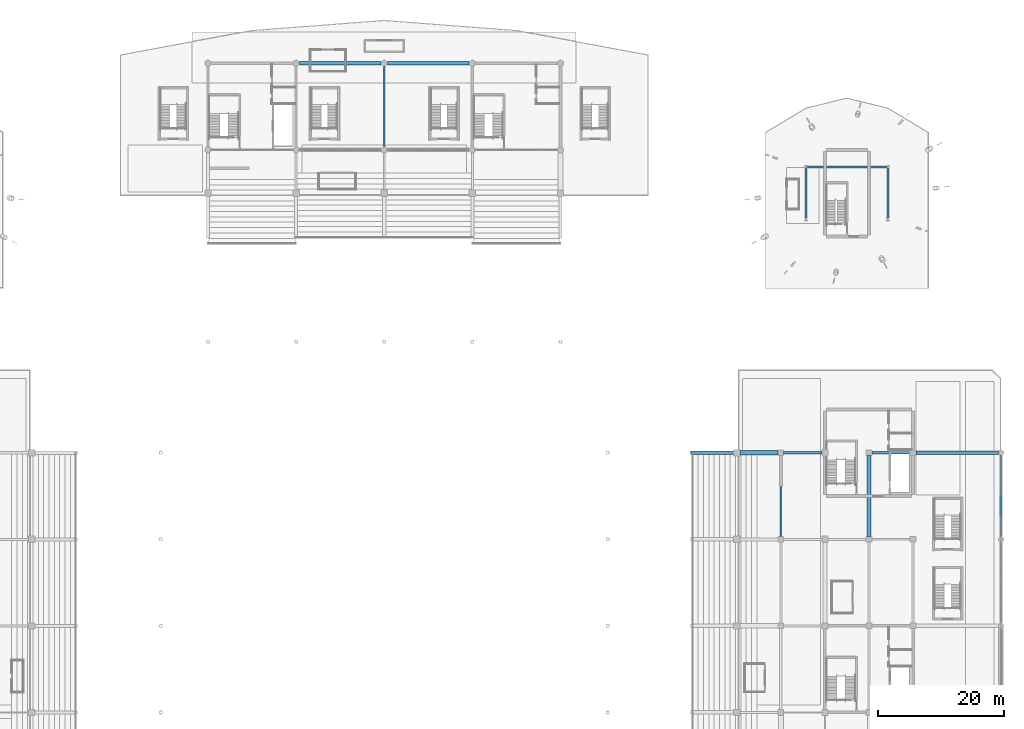
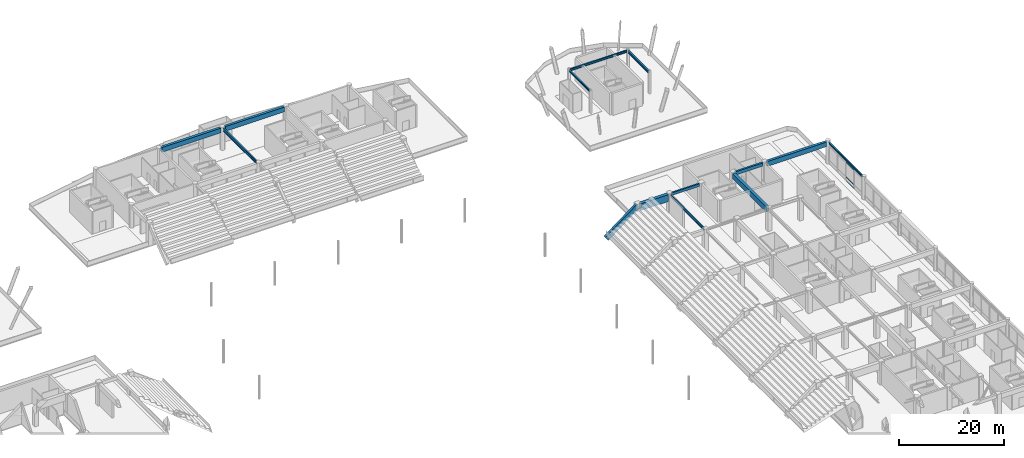
# One storey, part 69 of 117: 14 beams, 3 members, 1 element without a shape of its own.
"""IFC4 building model written with IfcOpenShell, lengths in metres."""

from ifc_helpers import new_model, si_unit, direction, frame, origin, origin_2d, place, context, subcontext, project, spatial, rectangle, hollow_rectangle, i_section, extrude, material, material_profile, profile_set, type_object, element, aggregate, save


model = new_model("IFC4")

# Units and contexts
model_context = context("Model", 3, precision=1e-05, world=origin(), true_north=direction((0.0, 1.0)))
body_context = subcontext(model_context, "Body", "Model", "MODEL_VIEW")
ifc_project = project(units=[si_unit("LENGTHUNIT", "METRE"), si_unit("AREAUNIT", "SQUARE_METRE"), si_unit("VOLUMEUNIT", "CUBIC_METRE"), si_unit("PLANEANGLEUNIT", "RADIAN"), si_unit("MASSUNIT", "GRAM", prefix="KILO")], contexts=[model_context])

# Site, building, storey
site_placement = place(None, origin())
site = spatial("IfcSite", under=ifc_project, at=site_placement, CompositionType="ELEMENT")
building_placement = place(site_placement, origin())
building = spatial("IfcBuilding", under=site, at=building_placement, Name="Linyun Crest Stadium", CompositionType="ELEMENT")
storey_placement = place(building_placement, frame((0.0, 0.0, 6.0)))
storey = spatial("IfcBuildingStorey", under=building, at=storey_placement, Name="L02", CompositionType="ELEMENT", Elevation=6.0)

# Beams
ifc_material_1 = material(Name="Concrete C40", Category="concrete")
ifc_material_profile_1 = material_profile(ifc_material_1, rectangle(XDim=0.35009765625, YDim=0.60009765625, at=origin_2d()), Name="RCB 600x350")
ifc_profile_set_1 = profile_set([ifc_material_profile_1], Name="Concrete C40")
beam_type_1 = type_object("IfcBeamType", Name="B01", PredefinedType="BEAM", material=ifc_profile_set_1)
beam_1_placement = place(storey_placement, frame((63.449951171875, 43.375, 4.85009765625), z_axis=(1.0, 0.0, 0.0), x_axis=(0.0, 1.0, 0.0)))
element("IfcBeam", 1, at=beam_1_placement, inside=storey, type_object=beam_type_1, Name="Frame beam B01 L02 574", PredefinedType="BEAM", context=body_context, shape_type="SweptSolid", body=[
    extrude(rectangle(XDim=0.35009765625, YDim=0.60009765625, at=origin_2d()), origin(), (0.0, 0.0, 1.0), 6.050048828125),
])
ifc_material_2 = material(Name="Concrete C40", Category="concrete")
ifc_material_profile_2 = material_profile(ifc_material_2, rectangle(XDim=0.39990234375, YDim=0.75, at=origin_2d()), Name="RCB 750x400")
ifc_profile_set_2 = profile_set([ifc_material_profile_2], Name="Concrete C40")
beam_type_2 = type_object("IfcBeamType", Name="B03", PredefinedType="BEAM", material=ifc_profile_set_2)
beam_2_placement = place(storey_placement, frame((77.449951171875, 43.375, 4.77490234375), z_axis=(1.0, 0.0, 0.0), x_axis=(0.0, 1.0, 0.0)))
element("IfcBeam", 2, at=beam_2_placement, inside=storey, type_object=beam_type_2, Name="Frame beam B03 L02 575", PredefinedType="BEAM", context=body_context, shape_type="SweptSolid", body=[
    extrude(rectangle(XDim=0.39990234375, YDim=0.75, at=origin_2d()), origin(), (0.0, 0.0, 1.0), 6.10009765625),
])
ifc_material_3 = material(Name="Steel Q355C", Category="steel")
ifc_material_profile_3 = material_profile(ifc_material_3, i_section(OverallWidth=0.300048828125, OverallDepth=0.43994140625, WebThickness=0.010986328125, FlangeThickness=0.01806640625, at=origin_2d()), Name="HM 440x300")
ifc_profile_set_3 = profile_set([ifc_material_profile_3], Name="Steel Q355C")
beam_type_3 = type_object("IfcBeamType", Name="B07", PredefinedType="BEAM", material=ifc_profile_set_3)
beam_3_placement = place(storey_placement, frame((98.0, 30.074951171875, 4.929931640625), z_axis=(0.0, 1.0, 0.0), x_axis=(-1.0, 0.0, 0.0)))
element("IfcBeam", 3, at=beam_3_placement, inside=storey, type_object=beam_type_3, Name="Frame beam B07 L02 605", PredefinedType="BEAM", context=body_context, shape_type="SweptSolid", body=[
    extrude(i_section(OverallWidth=0.300048828125, OverallDepth=0.43994140625, WebThickness=0.010986328125, FlangeThickness=0.01806640625, at=origin_2d()), origin(), (0.0, 0.0, 1.0), 12.85009765625),
])
beam_4_placement = place(storey_placement, frame((67.0, 80.7490234375, 4.9599609375), z_axis=(0.0, 1.0, 0.0), x_axis=(-1.0, 0.0, 0.0)))
element("IfcBeam", 4, at=beam_4_placement, inside=storey, type_object=beam_type_3, Name="Frame beam B07 L02 963", PredefinedType="BEAM", context=body_context, shape_type="SweptSolid", body=[
    extrude(i_section(OverallWidth=0.300048828125, OverallDepth=0.43994140625, WebThickness=0.010986328125, FlangeThickness=0.01806640625, at=origin_2d()), origin(), (0.0, 0.0, 1.0), 7.786865234375),
])
ifc_material_4 = material(Name="Steel Q355C", Category="steel")
ifc_material_profile_4 = material_profile(ifc_material_4, i_section(OverallWidth=0.300048828125, OverallDepth=0.488037109375, WebThickness=0.010986328125, FlangeThickness=0.01806640625, at=origin_2d()), Name="HM 488x300")
ifc_profile_set_4 = profile_set([ifc_material_profile_4], Name="Steel Q355C")
beam_type_4 = type_object("IfcBeamType", Name="B08", PredefinedType="BEAM", material=ifc_profile_set_4)
beam_5_placement = place(storey_placement, frame((67.2041015625, 88.75, 4.93603515625), z_axis=(1.0, 0.0, 0.0), x_axis=(0.0, 1.0, 0.0)))
element("IfcBeam", 5, at=beam_5_placement, inside=storey, type_object=beam_type_4, Name="Frame beam B08 L02 960", PredefinedType="BEAM", context=body_context, shape_type="SweptSolid", body=[
    extrude(i_section(OverallWidth=0.300048828125, OverallDepth=0.488037109375, WebThickness=0.010986328125, FlangeThickness=0.01806640625, at=origin_2d()), origin(), (0.0, 0.0, 1.0), 12.591796875),
])
ifc_material_5 = material(Name="Steel Q355C", Category="steel")
ifc_material_profile_5 = material_profile(ifc_material_5, i_section(OverallWidth=0.300048828125, OverallDepth=0.587890625, WebThickness=0.011962890625, FlangeThickness=0.02001953125, at=origin_2d()), Name="HM 588x300")
ifc_profile_set_5 = profile_set([ifc_material_profile_5], Name="Steel Q355C")
beam_type_5 = type_object("IfcBeamType", Name="B09", PredefinedType="BEAM", material=ifc_profile_set_5)
beam_6_placement = place(storey_placement, frame((80.0, 80.7490234375, 4.885986328125), z_axis=(0.0, 1.0, 0.0), x_axis=(-1.0, 0.0, 0.0)))
element("IfcBeam", 6, at=beam_6_placement, inside=storey, type_object=beam_type_5, Name="Frame beam B09 L02 964", PredefinedType="BEAM", context=body_context, shape_type="SweptSolid", body=[
    extrude(i_section(OverallWidth=0.300048828125, OverallDepth=0.587890625, WebThickness=0.011962890625, FlangeThickness=0.02001953125, at=origin_2d()), origin(), (0.0, 0.0, 1.0), 7.786865234375),
])
ifc_material_6 = material(Name="Steel Q355C", Category="steel")
ifc_material_profile_6 = material_profile(ifc_material_6, i_section(OverallWidth=0.199951171875, OverallDepth=0.60009765625, WebThickness=0.010986328125, FlangeThickness=0.01708984375, at=origin_2d()), Name="HN 600x200")
ifc_profile_set_6 = profile_set([ifc_material_profile_6], Name="Steel Q355C")
beam_type_6 = type_object("IfcBeamType", Name="B11", PredefinedType="BEAM", material=ifc_profile_set_6)
beam_7_placement = place(storey_placement, frame((63.0, 30.074951171875, 4.85009765625), z_axis=(0.0, 1.0, 0.0), x_axis=(-1.0, 0.0, 0.0)))
element("IfcBeam", 7, at=beam_7_placement, inside=storey, type_object=beam_type_6, Name="Frame beam B11 L02 583", PredefinedType="BEAM", context=body_context, shape_type="SweptSolid", body=[
    extrude(i_section(OverallWidth=0.199951171875, OverallDepth=0.60009765625, WebThickness=0.010986328125, FlangeThickness=0.01708984375, at=origin_2d()), origin(), (0.0, 0.0, 1.0), 12.85009765625),
])
ifc_material_7 = material(Name="Steel Q355C", Category="steel")
ifc_material_profile_7 = material_profile(ifc_material_7, i_section(OverallWidth=0.300048828125, OverallDepth=0.699951171875, WebThickness=0.012939453125, FlangeThickness=0.02392578125, at=origin_2d()), Name="HN 700x300")
ifc_profile_set_7 = profile_set([ifc_material_profile_7], Name="Steel Q355C")
beam_type_7 = type_object("IfcBeamType", Name="B12", PredefinedType="BEAM", material=ifc_profile_set_7)
beam_8_placement = place(storey_placement, frame((0.0, 92.0, 4.85009765625), z_axis=(0.0, 1.0, 0.0), x_axis=(-1.0, 0.0, 0.0)))
element("IfcBeam", 8, at=beam_8_placement, inside=storey, type_object=beam_type_7, Name="Frame beam B12 L02 797", PredefinedType="BEAM", context=body_context, shape_type="SweptSolid", body=[
    extrude(i_section(OverallWidth=0.300048828125, OverallDepth=0.699951171875, WebThickness=0.012939453125, FlangeThickness=0.02392578125, at=origin_2d()), origin(), (0.0, 0.0, 1.0), 12.75),
])
ifc_material_8 = material(Name="Concrete C50", Category="concrete")
ifc_material_profile_8 = material_profile(ifc_material_8, rectangle(XDim=0.699951171875, YDim=1.60009765625, at=origin_2d()), Name="RCB 1600x700")
ifc_profile_set_8 = profile_set([ifc_material_profile_8], Name="Concrete C50")
beam_type_8 = type_object("IfcBeamType", Name="B13", PredefinedType="BEAM", material=ifc_profile_set_8)
beam_9_placement = place(storey_placement, frame((56.5, 43.375, 4.35009765625), z_axis=(1.0, 0.0, 0.0), x_axis=(0.0, 1.0, 0.0)))
element("IfcBeam", 9, at=beam_9_placement, inside=storey, type_object=beam_type_8, Name="Frame beam B13 L02 573", PredefinedType="BEAM", context=body_context, shape_type="SweptSolid", body=[
    extrude(rectangle(XDim=0.699951171875, YDim=1.60009765625, at=origin_2d()), origin(), (0.0, 0.0, 1.0), 6.050048828125),
])
ifc_material_9 = material(Name="Precast concrete C50", Category="concrete")
ifc_material_profile_9 = material_profile(ifc_material_9, rectangle(XDim=0.550048828125, YDim=1.14990234375, at=origin_2d()), Name="PCR 1150x550")
ifc_profile_set_9 = profile_set([ifc_material_profile_9], Name="Precast concrete C50")
beam_type_9 = type_object("IfcBeamType", Name="RB02", PredefinedType="USERDEFINED", material=ifc_profile_set_9)
beam_10_placement = place(storey_placement, frame((49.0, 43.375, -0.47998046875), z_axis=(0.798353067066, 0.0, 0.602189654765), x_axis=(0.0, 1.0, 0.0)))
element("IfcBeam", 10, at=beam_10_placement, inside=storey, type_object=beam_type_9, Name="Precast raker beam RB02 V2 62", ObjectType="RAKER", PredefinedType="USERDEFINED", context=body_context, shape_type="SweptSolid", body=[
    extrude(rectangle(XDim=0.550048828125, YDim=1.14990234375, at=origin_2d()), origin(), (0.0, 0.0, 1.0), 8.76806640625),
])
ifc_material_10 = material(Name="Concrete C50", Category="concrete")
ifc_material_profile_10 = material_profile(ifc_material_10, rectangle(XDim=0.550048828125, YDim=1.10009765625, at=origin_2d()), Name="RCB 1100x550")
ifc_profile_set_10 = profile_set([ifc_material_profile_10], Name="Concrete C50")
beam_type_10 = type_object("IfcBeamType", Name="TB01", PredefinedType="USERDEFINED", material=ifc_profile_set_10)
beam_11_placement = place(storey_placement, frame((84.449951171875, 43.375, 4.60009765625), z_axis=(1.0, 0.0, 0.0), x_axis=(0.0, 1.0, 0.0)))
element("IfcBeam", 11, at=beam_11_placement, inside=storey, type_object=beam_type_10, Name="Frame beam TB01 L02 576", ObjectType="GIRDER", PredefinedType="USERDEFINED", context=body_context, shape_type="SweptSolid", body=[
    extrude(rectangle(XDim=0.550048828125, YDim=1.10009765625, at=origin_2d()), origin(), (0.0, 0.0, 1.0), 13.10009765625),
])
for number, where, z_axis, x_axis, name in (
    (12, (-13.5, 105.25, 4.64990234375), (1.0, 0.0, 0.0), (0.0, 1.0, 0.0), "Frame beam TB01 L02 792"),
    (13, (0.5, 105.25, 4.64990234375), (1.0, 0.0, 0.0), (0.0, 1.0, 0.0), "Frame beam TB01 L02 793"),
):
    element("IfcBeam", number, at=place(storey_placement, frame(where, z_axis=z_axis, x_axis=x_axis)), inside=storey, type_object=beam_type_10, Name=name, ObjectType="GIRDER", PredefinedType="USERDEFINED", context=body_context, shape_type="SweptSolid", body=[
        extrude(rectangle(XDim=0.550048828125, YDim=1.10009765625, at=origin_2d()), origin(), (0.0, 0.0, 1.0), 13.0),
    ])
ifc_material_11 = material(Name="Concrete C50", Category="concrete")
ifc_material_profile_11 = material_profile(ifc_material_11, rectangle(XDim=0.60009765625, YDim=1.199951171875, at=origin_2d()), Name="RCB 1200x600")
ifc_profile_set_11 = profile_set([ifc_material_profile_11], Name="Concrete C50")
beam_type_11 = type_object("IfcBeamType", Name="TB02", PredefinedType="USERDEFINED", material=ifc_profile_set_11)
beam_12_placement = place(storey_placement, frame((77.0, 30.074951171875, 4.550048828125), z_axis=(0.0, 1.0, 0.0), x_axis=(-1.0, 0.0, 0.0)))
element("IfcBeam", 14, at=beam_12_placement, inside=storey, type_object=beam_type_11, Name="Frame beam TB02 L02 594", ObjectType="GIRDER", PredefinedType="USERDEFINED", context=body_context, shape_type="SweptSolid", body=[
    extrude(rectangle(XDim=0.60009765625, YDim=1.199951171875, at=origin_2d()), origin(), (0.0, 0.0, 1.0), 12.85009765625),
])

# Curtain wall, members
ifc_material_12 = material(Name="Verdigris steel and low-E curtain wall assembly", Category="steel")
curtain_wall_type = type_object("IfcCurtainWallType", Name="MCW01", PredefinedType="NOTDEFINED", material=ifc_material_12)
curtain_wall_placement = place(storey_placement, origin())
curtain_wall = element("IfcCurtainWall", 15, at=curtain_wall_placement, inside=storey, type_object=curtain_wall_type, Name="CWR-123", PredefinedType="NOTDEFINED")
ifc_material_13 = material(Name="Aluminium thermally broken transom", Category="aluminium")
ifc_material_profile_12 = material_profile(ifc_material_13, hollow_rectangle(XDim=0.080078125, YDim=0.159912109375, WallThickness=0.006103515625, at=origin_2d()), Name="RHS 160x80x6")
ifc_profile_set_12 = profile_set([ifc_material_profile_12], Name="Aluminium thermally broken transom")
member_type = type_object("IfcMemberType", Name="TR01", PredefinedType="USERDEFINED", material=ifc_profile_set_12)
member_1_placement = place(storey_placement, frame((98.0, 33.337890625, 0.0), z_axis=(0.0, 1.0, 0.0), x_axis=(-1.0, 0.0, 0.0)))
member_1 = element("IfcMember", 16, at=member_1_placement, type_object=member_type, Name="CWR-123 transom 2.1", ObjectType="TRANSOM", PredefinedType="USERDEFINED", context=body_context, shape_type="SweptSolid", body=[
    extrude(hollow_rectangle(XDim=0.080078125, YDim=0.159912109375, WallThickness=0.006103515625, at=origin_2d()), origin(), (0.0, 0.0, 1.0), 3.162109375),
])
member_2_placement = place(storey_placement, frame((98.0, 33.337890625, 0.89990234375), z_axis=(0.0, 1.0, 0.0), x_axis=(-1.0, 0.0, 0.0)))
member_2 = element("IfcMember", 17, at=member_2_placement, type_object=member_type, Name="CWR-123 transom 2.2", ObjectType="TRANSOM", PredefinedType="USERDEFINED", context=body_context, shape_type="SweptSolid", body=[
    extrude(hollow_rectangle(XDim=0.080078125, YDim=0.159912109375, WallThickness=0.006103515625, at=origin_2d()), origin(), (0.0, 0.0, 1.0), 3.162109375),
])
member_3_placement = place(storey_placement, frame((98.0, 33.337890625, 4.25), z_axis=(0.0, 1.0, 0.0), x_axis=(-1.0, 0.0, 0.0)))
member_3 = element("IfcMember", 18, at=member_3_placement, type_object=member_type, Name="CWR-123 transom 2.3", ObjectType="TRANSOM", PredefinedType="USERDEFINED", context=body_context, shape_type="SweptSolid", body=[
    extrude(hollow_rectangle(XDim=0.080078125, YDim=0.159912109375, WallThickness=0.006103515625, at=origin_2d()), origin(), (0.0, 0.0, 1.0), 3.162109375),
])
aggregate(curtain_wall, [member_1, member_2, member_3])

save(model, "model.ifc")
